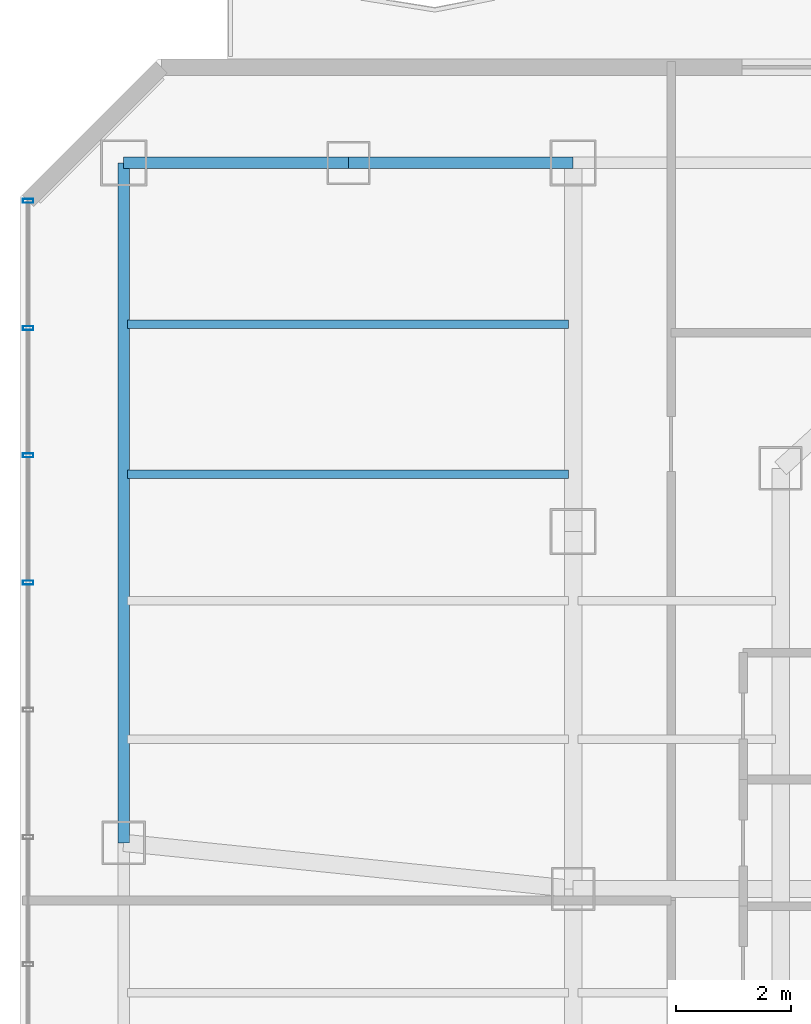
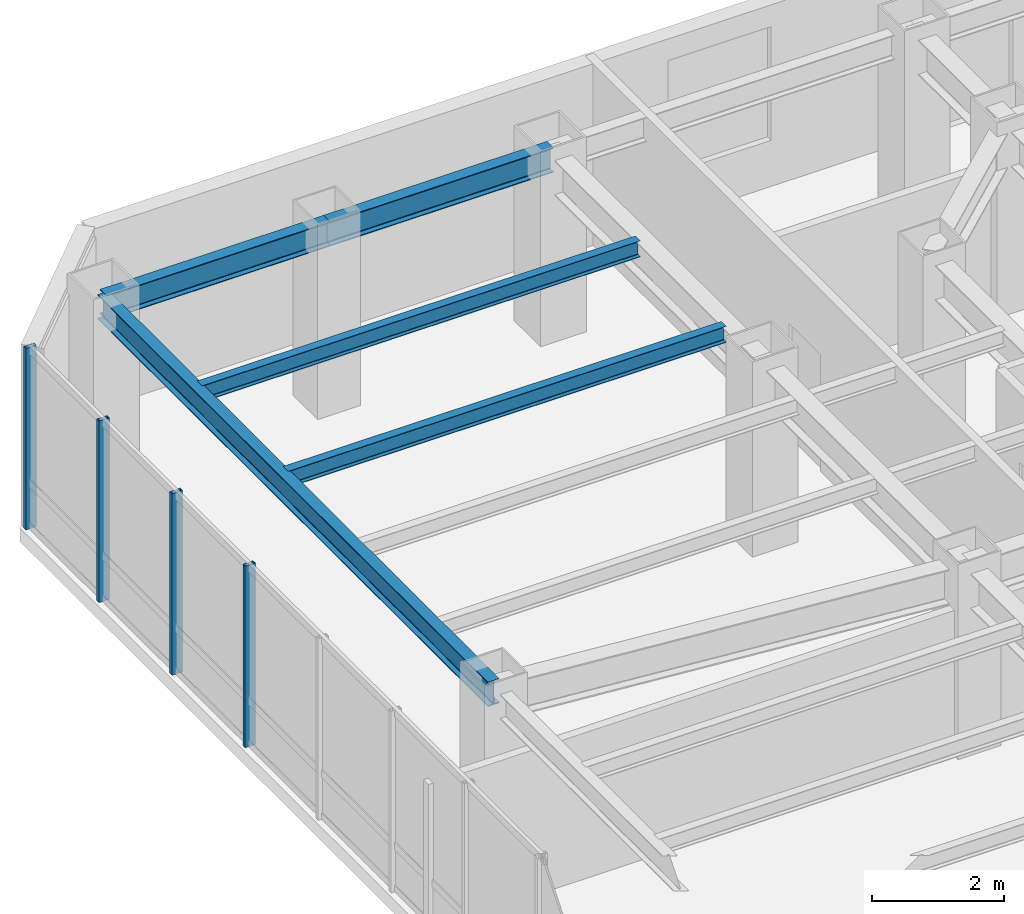
# One storey, part 17 of 27: 5 beams, 4 members, 1 element without a shape of its own.
"""IFC4 building model written with IfcOpenShell, lengths in metres."""

from ifc_helpers import new_model, si_unit, direction, frame, origin, origin_2d, place, context, subcontext, project, spatial, hollow_rectangle, i_section, extrude, material, layer, layer_set, material_profile, profile_set, type_object, element, aggregate, save


model = new_model("IFC4")

# Units and contexts
model_context = context("Model", 3, precision=1e-05, world=origin(), true_north=direction((0.0, 1.0)))
body_context = subcontext(model_context, "Body", "Model", "MODEL_VIEW")
ifc_project = project(units=[si_unit("LENGTHUNIT", "METRE"), si_unit("AREAUNIT", "SQUARE_METRE"), si_unit("VOLUMEUNIT", "CUBIC_METRE"), si_unit("PLANEANGLEUNIT", "RADIAN"), si_unit("MASSUNIT", "GRAM", prefix="KILO")], contexts=[model_context])

# Site, building, storey
site_placement = place(None, origin())
site = spatial("IfcSite", under=ifc_project, at=site_placement, CompositionType="ELEMENT")
building_placement = place(site_placement, origin())
building = spatial("IfcBuilding", under=site, at=building_placement, Name="Hatsunagi Terrace Concourse", CompositionType="ELEMENT")
storey_placement = place(building_placement, frame((0.0, 0.0, 174.449951171875)))
storey = spatial("IfcBuildingStorey", under=building, at=storey_placement, Name="L46", CompositionType="ELEMENT", Elevation=174.449951171875)

# Curtain wall, members
ifc_material_1 = material(Name="Anodised Aluminium Alloy 6063-T5", Category="aluminium")
ifc_layer = layer(ifc_material_1, 0.199951171875)
ifc_layer_set = layer_set([ifc_layer], Name="OfficeZone1_CW03")
curtain_wall_type = type_object("IfcCurtainWallType", Name="OfficeZone1_CW03", PredefinedType="NOTDEFINED", material=ifc_layer_set)
curtain_wall_placement = place(storey_placement, origin())
curtain_wall = element("IfcCurtainWall", 1, at=curtain_wall_placement, inside=storey, type_object=curtain_wall_type, Name="Unitised Curtain Wall CW-03 CW-L46-09", PredefinedType="NOTDEFINED")
ifc_material_2 = material(Name="Anodised Aluminium Alloy 6063-T5", Category="aluminium")
ifc_material_profile_1 = material_profile(ifc_material_2, hollow_rectangle(XDim=0.070068359375, YDim=0.179931640625, WallThickness=0.00390625, at=origin_2d()), Name="ALU-MUL-180x70x4")
ifc_profile_set_1 = profile_set([ifc_material_profile_1], Name="Anodised Aluminium Alloy 6063-T5")
member_type = type_object("IfcMemberType", Name="CurtainWallMullion_180x70", PredefinedType="MULLION", material=ifc_profile_set_1)
member_1_placement = place(storey_placement, frame((9.739990234375, 41.31689453125, 0.0), z_axis=(0.0, 0.0, 1.0), x_axis=(0.0, 1.0, 0.0)))
member_1 = element("IfcMember", 2, at=member_1_placement, type_object=member_type, Name="Curtain Wall Mullion MUL-02", PredefinedType="MULLION", context=body_context, shape_type="SweptSolid", body=[
    extrude(hollow_rectangle(XDim=0.070068359375, YDim=0.179931640625, WallThickness=0.00390625, at=origin_2d()), origin(), (0.0, 0.0, 1.0), 3.35009765625),
])
member_2_placement = place(storey_placement, frame((9.739990234375, 43.52490234375, 0.0), z_axis=(0.0, 0.0, 1.0), x_axis=(0.0, 1.0, 0.0)))
member_2 = element("IfcMember", 3, at=member_2_placement, type_object=member_type, Name="Curtain Wall Mullion MUL-02", PredefinedType="MULLION", context=body_context, shape_type="SweptSolid", body=[
    extrude(hollow_rectangle(XDim=0.070068359375, YDim=0.179931640625, WallThickness=0.00390625, at=origin_2d()), origin(), (0.0, 0.0, 1.0), 3.35009765625),
])
member_3_placement = place(storey_placement, frame((9.739990234375, 45.73388671875, 0.0), z_axis=(0.0, 0.0, 1.0), x_axis=(0.0, 1.0, 0.0)))
member_3 = element("IfcMember", 4, at=member_3_placement, type_object=member_type, Name="Curtain Wall Mullion MUL-02", PredefinedType="MULLION", context=body_context, shape_type="SweptSolid", body=[
    extrude(hollow_rectangle(XDim=0.070068359375, YDim=0.179931640625, WallThickness=0.00390625, at=origin_2d()), origin(), (0.0, 0.0, 1.0), 3.35009765625),
])
member_4_placement = place(storey_placement, frame((9.739990234375, 47.94189453125, 0.0), z_axis=(0.0, 0.0, 1.0), x_axis=(0.0, 1.0, 0.0)))
member_4 = element("IfcMember", 5, at=member_4_placement, type_object=member_type, Name="Curtain Wall Mullion MUL-02", PredefinedType="MULLION", context=body_context, shape_type="SweptSolid", body=[
    extrude(hollow_rectangle(XDim=0.070068359375, YDim=0.179931640625, WallThickness=0.00390625, at=origin_2d()), origin(), (0.0, 0.0, 1.0), 3.35009765625),
])
aggregate(curtain_wall, [member_1, member_2, member_3, member_4])

# Beams
ifc_material_3 = material(Name="Steel SN490B", Category="steel")
ifc_material_profile_2 = material_profile(ifc_material_3, i_section(OverallWidth=0.14990234375, OverallDepth=0.300048828125, WebThickness=0.006591796875, FlangeThickness=0.009033203125, FilletRadius=0.010986328125, at=origin_2d()), Name="H-300x150x6.5x9")
ifc_profile_set_2 = profile_set([ifc_material_profile_2], Name="Steel SN490B")
beam_type_1 = type_object("IfcBeamType", Name="OfficeJoist_H_300x150", PredefinedType="JOIST", material=ifc_profile_set_2)
for number, where, z_axis, x_axis, name in (
    (6, (11.465087890625, 43.199951171875, 3.199951171875), (1.0, 0.0, 0.0), (0.0, 1.0, 0.0), "Beam J-03 J-L46-W-11-432"),
    (7, (11.465087890625, 45.800048828125, 3.199951171875), (1.0, 0.0, 0.0), (0.0, 1.0, 0.0), "Beam J-03 J-L46-W-11-458"),
):
    element("IfcBeam", number, at=place(storey_placement, frame(where, z_axis=z_axis, x_axis=x_axis)), inside=storey, type_object=beam_type_1, Name=name, PredefinedType="JOIST", context=body_context, shape_type="SweptSolid", body=[
        extrude(i_section(OverallWidth=0.14990234375, OverallDepth=0.300048828125, WebThickness=0.006591796875, FlangeThickness=0.009033203125, FilletRadius=0.010986328125, at=origin_2d()), origin(), (0.0, 0.0, 1.0), 7.64990234375),
    ])
ifc_material_4 = material(Name="Steel SN490B", Category="steel")
ifc_material_profile_3 = material_profile(ifc_material_4, i_section(OverallWidth=0.199951171875, OverallDepth=0.449951171875, WebThickness=0.009033203125, FlangeThickness=0.013916015625, FilletRadius=0.01611328125, at=origin_2d()), Name="H-450x200x9x14")
ifc_profile_set_3 = profile_set([ifc_material_profile_3], Name="Steel SN490B")
beam_type_2 = type_object("IfcBeamType", Name="PerimeterSpandrel_H_450x200", PredefinedType="SPANDREL", material=ifc_profile_set_3)
beam_1_placement = place(storey_placement, frame((11.39990234375, 48.60009765625, 3.125), z_axis=(1.0, 0.0, 0.0), x_axis=(0.0, 1.0, 0.0)))
element("IfcBeam", 8, at=beam_1_placement, inside=storey, type_object=beam_type_2, Name="Beam SP-02 BM-L46-WN-11", PredefinedType="SPANDREL", context=body_context, shape_type="SweptSolid", body=[
    extrude(i_section(OverallWidth=0.199951171875, OverallDepth=0.449951171875, WebThickness=0.009033203125, FlangeThickness=0.013916015625, FilletRadius=0.01611328125, at=origin_2d()), origin(), (0.0, 0.0, 1.0), 3.900146484375),
])
beam_2_placement = place(storey_placement, frame((15.300048828125, 48.60009765625, 3.125), z_axis=(1.0, 0.0, 0.0), x_axis=(0.0, 1.0, 0.0)))
element("IfcBeam", 9, at=beam_2_placement, inside=storey, type_object=beam_type_2, Name="Beam SP-02 BM-L46-WN-15", PredefinedType="SPANDREL", context=body_context, shape_type="SweptSolid", body=[
    extrude(i_section(OverallWidth=0.199951171875, OverallDepth=0.449951171875, WebThickness=0.009033203125, FlangeThickness=0.013916015625, FilletRadius=0.01611328125, at=origin_2d()), origin(), (0.0, 0.0, 1.0), 3.89990234375),
])
beam_3_placement = place(storey_placement, frame((11.39990234375, 36.800048828125, 3.125), z_axis=(0.0, 1.0, 0.0), x_axis=(-1.0, 0.0, 0.0)))
element("IfcBeam", 10, at=beam_3_placement, inside=storey, type_object=beam_type_2, Name="Beam SP-02 BM-L46-NS-11-36", PredefinedType="SPANDREL", context=body_context, shape_type="SweptSolid", body=[
    extrude(i_section(OverallWidth=0.199951171875, OverallDepth=0.449951171875, WebThickness=0.009033203125, FlangeThickness=0.013916015625, FilletRadius=0.01611328125, at=origin_2d()), origin(), (0.0, 0.0, 1.0), 11.800048828125),
])

save(model, "model.ifc")
